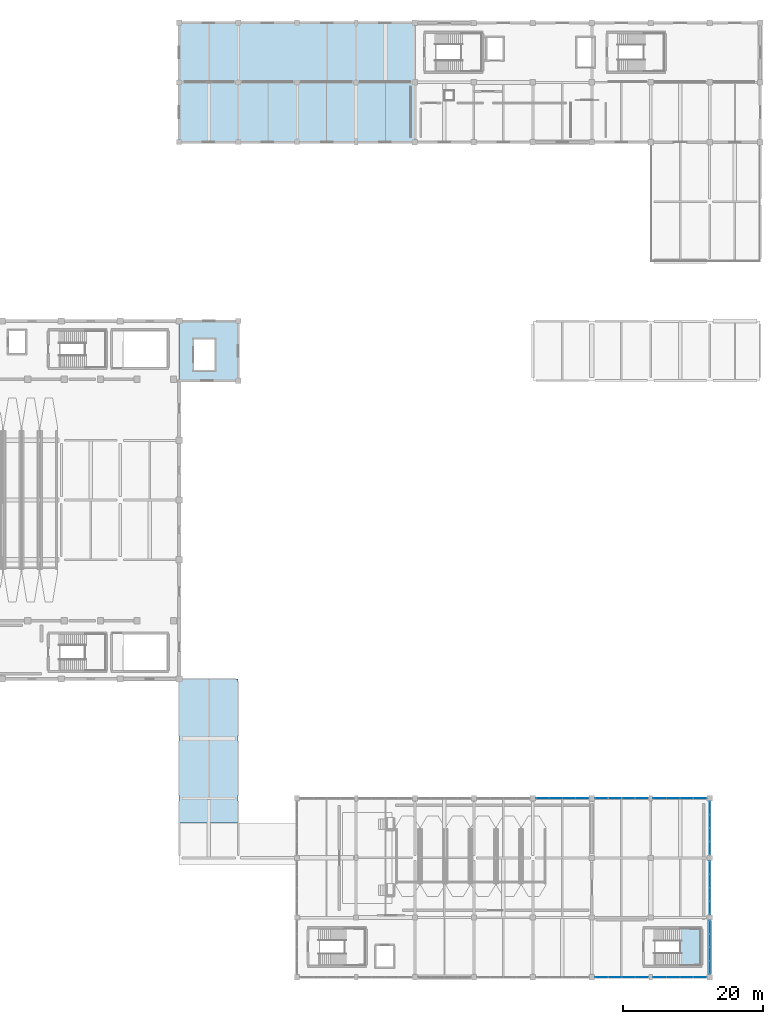
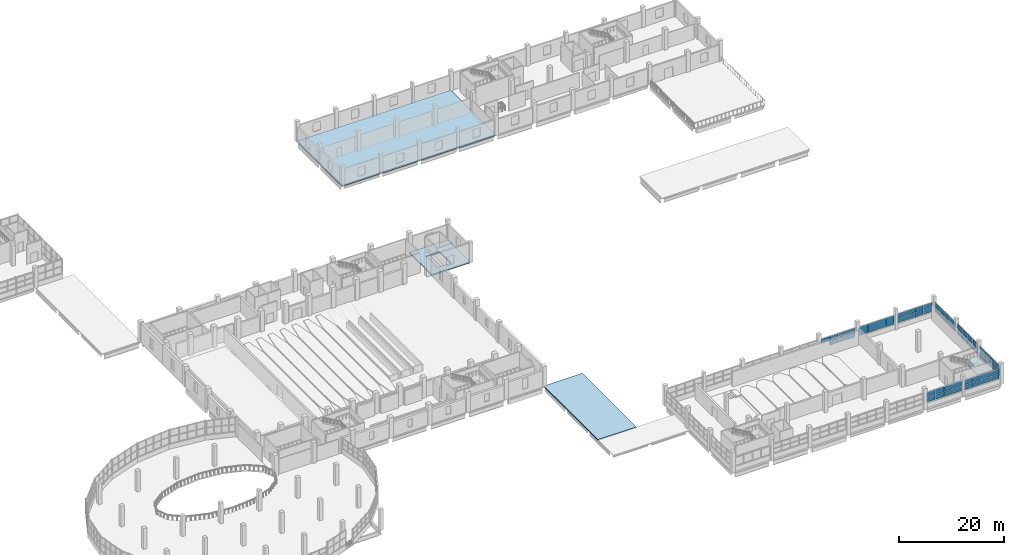
# One storey, part 92 of 117: 59 plates, 4 slabs, 9 elements without a shape of their own.
"""IFC4 building model written with IfcOpenShell, lengths in metres."""

from ifc_helpers import new_model, si_unit, direction, frame, origin, origin_2d, place, context, subcontext, project, spatial, polyline, rectangle, outline, extrude, material, layer, layer_set, type_object, element, aggregate, save


model = new_model("IFC4")

# Units and contexts
model_context = context("Model", 3, precision=1e-05, world=origin(), true_north=direction((0.0, 1.0)))
body_context = subcontext(model_context, "Body", "Model", "MODEL_VIEW")
ifc_project = project(units=[si_unit("LENGTHUNIT", "METRE"), si_unit("AREAUNIT", "SQUARE_METRE"), si_unit("VOLUMEUNIT", "CUBIC_METRE"), si_unit("PLANEANGLEUNIT", "RADIAN"), si_unit("MASSUNIT", "GRAM", prefix="KILO")], contexts=[model_context])

# Site, building, storey
site_placement = place(None, origin())
site = spatial("IfcSite", under=ifc_project, at=site_placement, CompositionType="ELEMENT")
building_placement = place(site_placement, origin())
building = spatial("IfcBuilding", under=site, at=building_placement, Name="Solvento Point Concert Hall", CompositionType="ELEMENT")
storey_placement = place(building_placement, frame((0.0, 0.0, 5.39990234375)))
storey = spatial("IfcBuildingStorey", under=building, at=storey_placement, Name="L01", CompositionType="ELEMENT", Elevation=5.39990234375)

# Curtain wall, plates
ifc_material_1 = material(Name="Anodized Bronze Aluminium", Category="aluminium")
curtain_wall_type = type_object("IfcCurtainWallType", Name="CurtainWall_ChamberCircle", PredefinedType="USERDEFINED", material=ifc_material_1)
curtain_wall_1_placement = place(storey_placement, origin())
curtain_wall_1 = element("IfcCurtainWall", 1, at=curtain_wall_1_placement, inside=storey, type_object=curtain_wall_type, Name="Unitised curtain wall CW-32 UCW-L01-080", ObjectType="UNITISED CURTAIN WALL", PredefinedType="USERDEFINED")
ifc_material_2 = material(Name="Hurricane Laminated Low-E Glass", Category="glass")
plate_type = type_object("IfcPlateType", Name="CurtainPanel_ChamberCircle", PredefinedType="CURTAIN_PANEL", material=ifc_material_2)
plate_1_placement = place(storey_placement, frame((184.96875, 25.5, 2.32861328125), z_axis=(0.0, 0.0, 1.0), x_axis=(1.0, 0.0, 0.0)))
plate_1 = element("IfcPlate", 2, at=plate_1_placement, type_object=plate_type, Name="Glazed curtain panel GL-05", PredefinedType="CURTAIN_PANEL", context=body_context, shape_type="SweptSolid", body=[
    extrude(rectangle(XDim=1.767578125, YDim=0.048095703125, at=origin_2d()), origin(), (0.0, 0.0, 1.0), 0.968505859375),
])
plate_2_placement = place(storey_placement, frame((186.856201171875, 25.5, 1.240234375), z_axis=(0.0, 0.0, 1.0), x_axis=(1.0, 0.0, 0.0)))
plate_2 = element("IfcPlate", 3, at=plate_2_placement, type_object=plate_type, Name="Glazed curtain panel GL-05", PredefinedType="CURTAIN_PANEL", context=body_context, shape_type="SweptSolid", body=[
    extrude(rectangle(XDim=1.767578125, YDim=0.048095703125, at=origin_2d()), origin(), (0.0, 0.0, 1.0), 0.968505859375),
])
plate_3_placement = place(storey_placement, frame((186.856201171875, 25.5, 2.32861328125), z_axis=(0.0, 0.0, 1.0), x_axis=(1.0, 0.0, 0.0)))
plate_3 = element("IfcPlate", 4, at=plate_3_placement, type_object=plate_type, Name="Glazed curtain panel GL-05", PredefinedType="CURTAIN_PANEL", context=body_context, shape_type="SweptSolid", body=[
    extrude(rectangle(XDim=1.767578125, YDim=0.048095703125, at=origin_2d()), origin(), (0.0, 0.0, 1.0), 0.968505859375),
])
plate_4_placement = place(storey_placement, frame((188.743896484375, 25.5, 1.240234375), z_axis=(0.0, 0.0, 1.0), x_axis=(1.0, 0.0, 0.0)))
plate_4 = element("IfcPlate", 5, at=plate_4_placement, type_object=plate_type, Name="Glazed curtain panel GL-05", PredefinedType="CURTAIN_PANEL", context=body_context, shape_type="SweptSolid", body=[
    extrude(rectangle(XDim=1.767578125, YDim=0.048095703125, at=origin_2d()), origin(), (0.0, 0.0, 1.0), 0.968505859375),
])
plate_5_placement = place(storey_placement, frame((188.743896484375, 25.5, 2.32861328125), z_axis=(0.0, 0.0, 1.0), x_axis=(1.0, 0.0, 0.0)))
plate_5 = element("IfcPlate", 6, at=plate_5_placement, type_object=plate_type, Name="Glazed curtain panel GL-05", PredefinedType="CURTAIN_PANEL", context=body_context, shape_type="SweptSolid", body=[
    extrude(rectangle(XDim=1.767578125, YDim=0.048095703125, at=origin_2d()), origin(), (0.0, 0.0, 1.0), 0.968505859375),
])
plate_6_placement = place(storey_placement, frame((190.631103515625, 25.5, 1.240234375), z_axis=(0.0, 0.0, 1.0), x_axis=(1.0, 0.0, 0.0)))
plate_6 = element("IfcPlate", 7, at=plate_6_placement, type_object=plate_type, Name="Glazed curtain panel GL-05", PredefinedType="CURTAIN_PANEL", context=body_context, shape_type="SweptSolid", body=[
    extrude(rectangle(XDim=1.767578125, YDim=0.048095703125, at=origin_2d()), origin(), (0.0, 0.0, 1.0), 0.968505859375),
])
plate_7_placement = place(storey_placement, frame((190.631103515625, 25.5, 2.32861328125), z_axis=(0.0, 0.0, 1.0), x_axis=(1.0, 0.0, 0.0)))
plate_7 = element("IfcPlate", 8, at=plate_7_placement, type_object=plate_type, Name="Glazed curtain panel GL-05", PredefinedType="CURTAIN_PANEL", context=body_context, shape_type="SweptSolid", body=[
    extrude(rectangle(XDim=1.767578125, YDim=0.048095703125, at=origin_2d()), origin(), (0.0, 0.0, 1.0), 0.968505859375),
])
aggregate(curtain_wall_1, [plate_1, plate_2, plate_3, plate_4, plate_5, plate_6, plate_7])

curtain_wall_2_placement = place(storey_placement, origin())
curtain_wall_2 = element("IfcCurtainWall", 9, at=curtain_wall_2_placement, inside=storey, type_object=curtain_wall_type, Name="Unitised curtain wall CW-32 UCW-L01-081", ObjectType="UNITISED CURTAIN WALL", PredefinedType="USERDEFINED")
plate_8_placement = place(storey_placement, frame((193.384521484375, 25.5, 1.239990234375), z_axis=(0.0, 0.0, 1.0), x_axis=(1.0, 0.0, 0.0)))
plate_8 = element("IfcPlate", 10, at=plate_8_placement, type_object=plate_type, Name="Glazed curtain panel GL-05", PredefinedType="CURTAIN_PANEL", context=body_context, shape_type="SweptSolid", body=[
    extrude(rectangle(XDim=1.798583984375, YDim=0.048095703125, at=origin_2d()), origin(), (0.0, 0.0, 1.0), 1.9580078125),
])
plate_9_placement = place(storey_placement, frame((195.302978515625, 25.5, 1.239990234375), z_axis=(0.0, 0.0, 1.0), x_axis=(1.0, 0.0, 0.0)))
plate_9 = element("IfcPlate", 11, at=plate_9_placement, type_object=plate_type, Name="Glazed curtain panel GL-05", PredefinedType="CURTAIN_PANEL", context=body_context, shape_type="SweptSolid", body=[
    extrude(rectangle(XDim=1.798583984375, YDim=0.048095703125, at=origin_2d()), origin(), (0.0, 0.0, 1.0), 1.9580078125),
])
plate_10_placement = place(storey_placement, frame((197.221923828125, 25.5, 1.239990234375), z_axis=(0.0, 0.0, 1.0), x_axis=(1.0, 0.0, 0.0)))
plate_10 = element("IfcPlate", 12, at=plate_10_placement, type_object=plate_type, Name="Glazed curtain panel GL-05", PredefinedType="CURTAIN_PANEL", context=body_context, shape_type="SweptSolid", body=[
    extrude(rectangle(XDim=1.798583984375, YDim=0.048095703125, at=origin_2d()), origin(), (0.0, 0.0, 1.0), 1.9580078125),
])
plate_11_placement = place(storey_placement, frame((199.140625, 25.5, 1.239990234375), z_axis=(0.0, 0.0, 1.0), x_axis=(1.0, 0.0, 0.0)))
plate_11 = element("IfcPlate", 13, at=plate_11_placement, type_object=plate_type, Name="Glazed curtain panel GL-05", PredefinedType="CURTAIN_PANEL", context=body_context, shape_type="SweptSolid", body=[
    extrude(rectangle(XDim=1.798583984375, YDim=0.048095703125, at=origin_2d()), origin(), (0.0, 0.0, 1.0), 1.9580078125),
])
aggregate(curtain_wall_2, [plate_8, plate_9, plate_10, plate_11])

curtain_wall_3_placement = place(storey_placement, origin())
curtain_wall_3 = element("IfcCurtainWall", 14, at=curtain_wall_3_placement, inside=storey, type_object=curtain_wall_type, Name="Unitised curtain wall CW-32 UCW-L01-082", ObjectType="UNITISED CURTAIN WALL", PredefinedType="USERDEFINED")
plate_12_placement = place(storey_placement, frame((201.659423828125, 25.5, 1.240234375), z_axis=(0.0, 0.0, 1.0), x_axis=(1.0, 0.0, 0.0)))
plate_12 = element("IfcPlate", 15, at=plate_12_placement, type_object=plate_type, Name="Glazed curtain panel GL-05", PredefinedType="CURTAIN_PANEL", context=body_context, shape_type="SweptSolid", body=[
    extrude(rectangle(XDim=1.798828125, YDim=0.048095703125, at=origin_2d()), origin(), (0.0, 0.0, 1.0), 0.971923828125),
])
plate_13_placement = place(storey_placement, frame((201.659423828125, 25.5, 2.33203125), z_axis=(0.0, 0.0, 1.0), x_axis=(1.0, 0.0, 0.0)))
plate_13 = element("IfcPlate", 16, at=plate_13_placement, type_object=plate_type, Name="Glazed curtain panel GL-05", PredefinedType="CURTAIN_PANEL", context=body_context, shape_type="SweptSolid", body=[
    extrude(rectangle(XDim=1.798828125, YDim=0.048095703125, at=origin_2d()), origin(), (0.0, 0.0, 1.0), 0.971923828125),
])
plate_14_placement = place(storey_placement, frame((203.578125, 25.5, 1.240234375), z_axis=(0.0, 0.0, 1.0), x_axis=(1.0, 0.0, 0.0)))
plate_14 = element("IfcPlate", 17, at=plate_14_placement, type_object=plate_type, Name="Glazed curtain panel GL-05", PredefinedType="CURTAIN_PANEL", context=body_context, shape_type="SweptSolid", body=[
    extrude(rectangle(XDim=1.798828125, YDim=0.048095703125, at=origin_2d()), origin(), (0.0, 0.0, 1.0), 0.971923828125),
])
plate_15_placement = place(storey_placement, frame((203.578125, 25.5, 2.33203125), z_axis=(0.0, 0.0, 1.0), x_axis=(1.0, 0.0, 0.0)))
plate_15 = element("IfcPlate", 18, at=plate_15_placement, type_object=plate_type, Name="Glazed curtain panel GL-05", PredefinedType="CURTAIN_PANEL", context=body_context, shape_type="SweptSolid", body=[
    extrude(rectangle(XDim=1.798828125, YDim=0.048095703125, at=origin_2d()), origin(), (0.0, 0.0, 1.0), 0.971923828125),
])
plate_16_placement = place(storey_placement, frame((205.496826171875, 25.5, 1.240234375), z_axis=(0.0, 0.0, 1.0), x_axis=(1.0, 0.0, 0.0)))
plate_16 = element("IfcPlate", 19, at=plate_16_placement, type_object=plate_type, Name="Glazed curtain panel GL-05", PredefinedType="CURTAIN_PANEL", context=body_context, shape_type="SweptSolid", body=[
    extrude(rectangle(XDim=1.798828125, YDim=0.048095703125, at=origin_2d()), origin(), (0.0, 0.0, 1.0), 0.971923828125),
])
plate_17_placement = place(storey_placement, frame((205.496826171875, 25.5, 2.33203125), z_axis=(0.0, 0.0, 1.0), x_axis=(1.0, 0.0, 0.0)))
plate_17 = element("IfcPlate", 20, at=plate_17_placement, type_object=plate_type, Name="Glazed curtain panel GL-05", PredefinedType="CURTAIN_PANEL", context=body_context, shape_type="SweptSolid", body=[
    extrude(rectangle(XDim=1.798828125, YDim=0.048095703125, at=origin_2d()), origin(), (0.0, 0.0, 1.0), 0.971923828125),
])
plate_18_placement = place(storey_placement, frame((207.41552734375, 25.5, 1.240234375), z_axis=(0.0, 0.0, 1.0), x_axis=(1.0, 0.0, 0.0)))
plate_18 = element("IfcPlate", 21, at=plate_18_placement, type_object=plate_type, Name="Glazed curtain panel GL-05", PredefinedType="CURTAIN_PANEL", context=body_context, shape_type="SweptSolid", body=[
    extrude(rectangle(XDim=1.798828125, YDim=0.048095703125, at=origin_2d()), origin(), (0.0, 0.0, 1.0), 0.971923828125),
])
plate_19_placement = place(storey_placement, frame((207.41552734375, 25.5, 2.33203125), z_axis=(0.0, 0.0, 1.0), x_axis=(1.0, 0.0, 0.0)))
plate_19 = element("IfcPlate", 22, at=plate_19_placement, type_object=plate_type, Name="Glazed curtain panel GL-05", PredefinedType="CURTAIN_PANEL", context=body_context, shape_type="SweptSolid", body=[
    extrude(rectangle(XDim=1.798828125, YDim=0.048095703125, at=origin_2d()), origin(), (0.0, 0.0, 1.0), 0.971923828125),
])
aggregate(curtain_wall_3, [plate_12, plate_13, plate_14, plate_15, plate_16, plate_17, plate_18, plate_19])

curtain_wall_4_placement = place(storey_placement, origin())
curtain_wall_4 = element("IfcCurtainWall", 23, at=curtain_wall_4_placement, inside=storey, type_object=curtain_wall_type, Name="Unitised curtain wall CW-32 UCW-L01-083", ObjectType="UNITISED CURTAIN WALL", PredefinedType="USERDEFINED")
plate_20_placement = place(storey_placement, frame((208.800048828125, 1.38134765625, 1.240234375), z_axis=(0.0, 0.0, 1.0), x_axis=(0.0, 1.0, 0.0)))
plate_20 = element("IfcPlate", 24, at=plate_20_placement, type_object=plate_type, Name="Glazed curtain panel GL-05", PredefinedType="CURTAIN_PANEL", context=body_context, shape_type="SweptSolid", body=[
    extrude(rectangle(XDim=1.79248046875, YDim=0.048095703125, at=origin_2d()), origin(), (0.0, 0.0, 1.0), 1.1279296875),
])
plate_21_placement = place(storey_placement, frame((208.800048828125, 1.38134765625, 2.488037109375), z_axis=(0.0, 0.0, 1.0), x_axis=(0.0, 1.0, 0.0)))
plate_21 = element("IfcPlate", 25, at=plate_21_placement, type_object=plate_type, Name="Glazed curtain panel GL-05", PredefinedType="CURTAIN_PANEL", context=body_context, shape_type="SweptSolid", body=[
    extrude(rectangle(XDim=1.79248046875, YDim=0.048095703125, at=origin_2d()), origin(), (0.0, 0.0, 1.0), 1.1279296875),
])
plate_22_placement = place(storey_placement, frame((208.800048828125, 3.293701171875, 1.240234375), z_axis=(0.0, 0.0, 1.0), x_axis=(0.0, 1.0, 0.0)))
plate_22 = element("IfcPlate", 26, at=plate_22_placement, type_object=plate_type, Name="Glazed curtain panel GL-05", PredefinedType="CURTAIN_PANEL", context=body_context, shape_type="SweptSolid", body=[
    extrude(rectangle(XDim=1.79248046875, YDim=0.048095703125, at=origin_2d()), origin(), (0.0, 0.0, 1.0), 1.1279296875),
])
plate_23_placement = place(storey_placement, frame((208.800048828125, 3.293701171875, 2.488037109375), z_axis=(0.0, 0.0, 1.0), x_axis=(0.0, 1.0, 0.0)))
plate_23 = element("IfcPlate", 27, at=plate_23_placement, type_object=plate_type, Name="Glazed curtain panel GL-05", PredefinedType="CURTAIN_PANEL", context=body_context, shape_type="SweptSolid", body=[
    extrude(rectangle(XDim=1.79248046875, YDim=0.048095703125, at=origin_2d()), origin(), (0.0, 0.0, 1.0), 1.1279296875),
])
plate_24_placement = place(storey_placement, frame((208.800048828125, 5.206298828125, 1.240234375), z_axis=(0.0, 0.0, 1.0), x_axis=(0.0, 1.0, 0.0)))
plate_24 = element("IfcPlate", 28, at=plate_24_placement, type_object=plate_type, Name="Glazed curtain panel GL-05", PredefinedType="CURTAIN_PANEL", context=body_context, shape_type="SweptSolid", body=[
    extrude(rectangle(XDim=1.79248046875, YDim=0.048095703125, at=origin_2d()), origin(), (0.0, 0.0, 1.0), 1.1279296875),
])
plate_25_placement = place(storey_placement, frame((208.800048828125, 5.206298828125, 2.488037109375), z_axis=(0.0, 0.0, 1.0), x_axis=(0.0, 1.0, 0.0)))
plate_25 = element("IfcPlate", 29, at=plate_25_placement, type_object=plate_type, Name="Glazed curtain panel GL-05", PredefinedType="CURTAIN_PANEL", context=body_context, shape_type="SweptSolid", body=[
    extrude(rectangle(XDim=1.79248046875, YDim=0.048095703125, at=origin_2d()), origin(), (0.0, 0.0, 1.0), 1.1279296875),
])
plate_26_placement = place(storey_placement, frame((208.800048828125, 7.118896484375, 1.240234375), z_axis=(0.0, 0.0, 1.0), x_axis=(0.0, 1.0, 0.0)))
plate_26 = element("IfcPlate", 30, at=plate_26_placement, type_object=plate_type, Name="Glazed curtain panel GL-05", PredefinedType="CURTAIN_PANEL", context=body_context, shape_type="SweptSolid", body=[
    extrude(rectangle(XDim=1.79248046875, YDim=0.048095703125, at=origin_2d()), origin(), (0.0, 0.0, 1.0), 1.1279296875),
])
plate_27_placement = place(storey_placement, frame((208.800048828125, 7.118896484375, 2.488037109375), z_axis=(0.0, 0.0, 1.0), x_axis=(0.0, 1.0, 0.0)))
plate_27 = element("IfcPlate", 31, at=plate_27_placement, type_object=plate_type, Name="Glazed curtain panel GL-05", PredefinedType="CURTAIN_PANEL", context=body_context, shape_type="SweptSolid", body=[
    extrude(rectangle(XDim=1.79248046875, YDim=0.048095703125, at=origin_2d()), origin(), (0.0, 0.0, 1.0), 1.1279296875),
])
aggregate(curtain_wall_4, [plate_20, plate_21, plate_22, plate_23, plate_24, plate_25, plate_26, plate_27])

curtain_wall_5_placement = place(storey_placement, origin())
curtain_wall_5 = element("IfcCurtainWall", 32, at=curtain_wall_5_placement, inside=storey, type_object=curtain_wall_type, Name="Unitised curtain wall CW-32 UCW-L01-084", ObjectType="UNITISED CURTAIN WALL", PredefinedType="USERDEFINED")
plate_28_placement = place(storey_placement, frame((208.800048828125, 9.881103515625, 1.240234375), z_axis=(0.0, 0.0, 1.0), x_axis=(0.0, 1.0, 0.0)))
plate_28 = element("IfcPlate", 33, at=plate_28_placement, type_object=plate_type, Name="Glazed curtain panel GL-05", PredefinedType="CURTAIN_PANEL", context=body_context, shape_type="SweptSolid", body=[
    extrude(rectangle(XDim=1.79248046875, YDim=0.048095703125, at=origin_2d()), origin(), (0.0, 0.0, 1.0), 1.157470703125),
])
plate_29_placement = place(storey_placement, frame((208.800048828125, 9.881103515625, 2.517578125), z_axis=(0.0, 0.0, 1.0), x_axis=(0.0, 1.0, 0.0)))
plate_29 = element("IfcPlate", 34, at=plate_29_placement, type_object=plate_type, Name="Glazed curtain panel GL-05", PredefinedType="CURTAIN_PANEL", context=body_context, shape_type="SweptSolid", body=[
    extrude(rectangle(XDim=1.79248046875, YDim=0.048095703125, at=origin_2d()), origin(), (0.0, 0.0, 1.0), 1.157470703125),
])
plate_30_placement = place(storey_placement, frame((208.800048828125, 11.793701171875, 1.240234375), z_axis=(0.0, 0.0, 1.0), x_axis=(0.0, 1.0, 0.0)))
plate_30 = element("IfcPlate", 35, at=plate_30_placement, type_object=plate_type, Name="Glazed curtain panel GL-05", PredefinedType="CURTAIN_PANEL", context=body_context, shape_type="SweptSolid", body=[
    extrude(rectangle(XDim=1.79248046875, YDim=0.048095703125, at=origin_2d()), origin(), (0.0, 0.0, 1.0), 1.157470703125),
])
plate_31_placement = place(storey_placement, frame((208.800048828125, 11.793701171875, 2.517578125), z_axis=(0.0, 0.0, 1.0), x_axis=(0.0, 1.0, 0.0)))
plate_31 = element("IfcPlate", 36, at=plate_31_placement, type_object=plate_type, Name="Glazed curtain panel GL-05", PredefinedType="CURTAIN_PANEL", context=body_context, shape_type="SweptSolid", body=[
    extrude(rectangle(XDim=1.79248046875, YDim=0.048095703125, at=origin_2d()), origin(), (0.0, 0.0, 1.0), 1.157470703125),
])
plate_32_placement = place(storey_placement, frame((208.800048828125, 13.706298828125, 1.240234375), z_axis=(0.0, 0.0, 1.0), x_axis=(0.0, 1.0, 0.0)))
plate_32 = element("IfcPlate", 37, at=plate_32_placement, type_object=plate_type, Name="Glazed curtain panel GL-05", PredefinedType="CURTAIN_PANEL", context=body_context, shape_type="SweptSolid", body=[
    extrude(rectangle(XDim=1.79248046875, YDim=0.048095703125, at=origin_2d()), origin(), (0.0, 0.0, 1.0), 1.157470703125),
])
plate_33_placement = place(storey_placement, frame((208.800048828125, 13.706298828125, 2.517578125), z_axis=(0.0, 0.0, 1.0), x_axis=(0.0, 1.0, 0.0)))
plate_33 = element("IfcPlate", 38, at=plate_33_placement, type_object=plate_type, Name="Glazed curtain panel GL-05", PredefinedType="CURTAIN_PANEL", context=body_context, shape_type="SweptSolid", body=[
    extrude(rectangle(XDim=1.79248046875, YDim=0.048095703125, at=origin_2d()), origin(), (0.0, 0.0, 1.0), 1.157470703125),
])
plate_34_placement = place(storey_placement, frame((208.800048828125, 15.61865234375, 1.240234375), z_axis=(0.0, 0.0, 1.0), x_axis=(0.0, 1.0, 0.0)))
plate_34 = element("IfcPlate", 39, at=plate_34_placement, type_object=plate_type, Name="Glazed curtain panel GL-05", PredefinedType="CURTAIN_PANEL", context=body_context, shape_type="SweptSolid", body=[
    extrude(rectangle(XDim=1.79248046875, YDim=0.048095703125, at=origin_2d()), origin(), (0.0, 0.0, 1.0), 1.157470703125),
])
plate_35_placement = place(storey_placement, frame((208.800048828125, 15.61865234375, 2.517578125), z_axis=(0.0, 0.0, 1.0), x_axis=(0.0, 1.0, 0.0)))
plate_35 = element("IfcPlate", 40, at=plate_35_placement, type_object=plate_type, Name="Glazed curtain panel GL-05", PredefinedType="CURTAIN_PANEL", context=body_context, shape_type="SweptSolid", body=[
    extrude(rectangle(XDim=1.79248046875, YDim=0.048095703125, at=origin_2d()), origin(), (0.0, 0.0, 1.0), 1.157470703125),
])
aggregate(curtain_wall_5, [plate_28, plate_29, plate_30, plate_31, plate_32, plate_33, plate_34, plate_35])

curtain_wall_6_placement = place(storey_placement, origin())
curtain_wall_6 = element("IfcCurtainWall", 41, at=curtain_wall_6_placement, inside=storey, type_object=curtain_wall_type, Name="Unitised curtain wall CW-32 UCW-L01-085", ObjectType="UNITISED CURTAIN WALL", PredefinedType="USERDEFINED")
plate_36_placement = place(storey_placement, frame((208.800048828125, 18.38134765625, 1.240234375), z_axis=(0.0, 0.0, 1.0), x_axis=(0.0, 1.0, 0.0)))
plate_36 = element("IfcPlate", 42, at=plate_36_placement, type_object=plate_type, Name="Glazed curtain panel GL-05", PredefinedType="CURTAIN_PANEL", context=body_context, shape_type="SweptSolid", body=[
    extrude(rectangle(XDim=1.79248046875, YDim=0.048095703125, at=origin_2d()), origin(), (0.0, 0.0, 1.0), 1.08544921875),
])
plate_37_placement = place(storey_placement, frame((208.800048828125, 18.38134765625, 2.445556640625), z_axis=(0.0, 0.0, 1.0), x_axis=(0.0, 1.0, 0.0)))
plate_37 = element("IfcPlate", 43, at=plate_37_placement, type_object=plate_type, Name="Glazed curtain panel GL-05", PredefinedType="CURTAIN_PANEL", context=body_context, shape_type="SweptSolid", body=[
    extrude(rectangle(XDim=1.79248046875, YDim=0.048095703125, at=origin_2d()), origin(), (0.0, 0.0, 1.0), 1.08544921875),
])
plate_38_placement = place(storey_placement, frame((208.800048828125, 20.293701171875, 1.240234375), z_axis=(0.0, 0.0, 1.0), x_axis=(0.0, 1.0, 0.0)))
plate_38 = element("IfcPlate", 44, at=plate_38_placement, type_object=plate_type, Name="Glazed curtain panel GL-05", PredefinedType="CURTAIN_PANEL", context=body_context, shape_type="SweptSolid", body=[
    extrude(rectangle(XDim=1.79248046875, YDim=0.048095703125, at=origin_2d()), origin(), (0.0, 0.0, 1.0), 1.08544921875),
])
plate_39_placement = place(storey_placement, frame((208.800048828125, 20.293701171875, 2.445556640625), z_axis=(0.0, 0.0, 1.0), x_axis=(0.0, 1.0, 0.0)))
plate_39 = element("IfcPlate", 45, at=plate_39_placement, type_object=plate_type, Name="Glazed curtain panel GL-05", PredefinedType="CURTAIN_PANEL", context=body_context, shape_type="SweptSolid", body=[
    extrude(rectangle(XDim=1.79248046875, YDim=0.048095703125, at=origin_2d()), origin(), (0.0, 0.0, 1.0), 1.08544921875),
])
plate_40_placement = place(storey_placement, frame((208.800048828125, 22.206298828125, 1.240234375), z_axis=(0.0, 0.0, 1.0), x_axis=(0.0, 1.0, 0.0)))
plate_40 = element("IfcPlate", 46, at=plate_40_placement, type_object=plate_type, Name="Glazed curtain panel GL-05", PredefinedType="CURTAIN_PANEL", context=body_context, shape_type="SweptSolid", body=[
    extrude(rectangle(XDim=1.79248046875, YDim=0.048095703125, at=origin_2d()), origin(), (0.0, 0.0, 1.0), 1.08544921875),
])
plate_41_placement = place(storey_placement, frame((208.800048828125, 22.206298828125, 2.445556640625), z_axis=(0.0, 0.0, 1.0), x_axis=(0.0, 1.0, 0.0)))
plate_41 = element("IfcPlate", 47, at=plate_41_placement, type_object=plate_type, Name="Glazed curtain panel GL-05", PredefinedType="CURTAIN_PANEL", context=body_context, shape_type="SweptSolid", body=[
    extrude(rectangle(XDim=1.79248046875, YDim=0.048095703125, at=origin_2d()), origin(), (0.0, 0.0, 1.0), 1.08544921875),
])
plate_42_placement = place(storey_placement, frame((208.800048828125, 24.11865234375, 1.240234375), z_axis=(0.0, 0.0, 1.0), x_axis=(0.0, 1.0, 0.0)))
plate_42 = element("IfcPlate", 48, at=plate_42_placement, type_object=plate_type, Name="Glazed curtain panel GL-05", PredefinedType="CURTAIN_PANEL", context=body_context, shape_type="SweptSolid", body=[
    extrude(rectangle(XDim=1.79248046875, YDim=0.048095703125, at=origin_2d()), origin(), (0.0, 0.0, 1.0), 1.08544921875),
])
plate_43_placement = place(storey_placement, frame((208.800048828125, 24.11865234375, 2.445556640625), z_axis=(0.0, 0.0, 1.0), x_axis=(0.0, 1.0, 0.0)))
plate_43 = element("IfcPlate", 49, at=plate_43_placement, type_object=plate_type, Name="Glazed curtain panel GL-05", PredefinedType="CURTAIN_PANEL", context=body_context, shape_type="SweptSolid", body=[
    extrude(rectangle(XDim=1.79248046875, YDim=0.048095703125, at=origin_2d()), origin(), (0.0, 0.0, 1.0), 1.08544921875),
])
aggregate(curtain_wall_6, [plate_36, plate_37, plate_38, plate_39, plate_40, plate_41, plate_42, plate_43])

curtain_wall_7_placement = place(storey_placement, origin())
curtain_wall_7 = element("IfcCurtainWall", 50, at=curtain_wall_7_placement, inside=storey, type_object=curtain_wall_type, Name="Unitised curtain wall CW-32 UCW-L01-091", ObjectType="UNITISED CURTAIN WALL", PredefinedType="USERDEFINED")
plate_44_placement = place(storey_placement, frame((193.384521484375, 0.0, 1.240234375), z_axis=(0.0, 0.0, 1.0), x_axis=(1.0, 0.0, 0.0)))
plate_44 = element("IfcPlate", 51, at=plate_44_placement, type_object=plate_type, Name="Glazed curtain panel GL-05", PredefinedType="CURTAIN_PANEL", context=body_context, shape_type="SweptSolid", body=[
    extrude(rectangle(XDim=1.798583984375, YDim=0.048095703125, at=origin_2d()), origin(), (0.0, 0.0, 1.0), 1.047119140625),
])
plate_45_placement = place(storey_placement, frame((193.384521484375, 0.0, 2.4072265625), z_axis=(0.0, 0.0, 1.0), x_axis=(1.0, 0.0, 0.0)))
plate_45 = element("IfcPlate", 52, at=plate_45_placement, type_object=plate_type, Name="Glazed curtain panel GL-05", PredefinedType="CURTAIN_PANEL", context=body_context, shape_type="SweptSolid", body=[
    extrude(rectangle(XDim=1.798583984375, YDim=0.048095703125, at=origin_2d()), origin(), (0.0, 0.0, 1.0), 1.047119140625),
])
plate_46_placement = place(storey_placement, frame((195.302978515625, 0.0, 1.240234375), z_axis=(0.0, 0.0, 1.0), x_axis=(1.0, 0.0, 0.0)))
plate_46 = element("IfcPlate", 53, at=plate_46_placement, type_object=plate_type, Name="Glazed curtain panel GL-05", PredefinedType="CURTAIN_PANEL", context=body_context, shape_type="SweptSolid", body=[
    extrude(rectangle(XDim=1.798583984375, YDim=0.048095703125, at=origin_2d()), origin(), (0.0, 0.0, 1.0), 1.047119140625),
])
plate_47_placement = place(storey_placement, frame((195.302978515625, 0.0, 2.4072265625), z_axis=(0.0, 0.0, 1.0), x_axis=(1.0, 0.0, 0.0)))
plate_47 = element("IfcPlate", 54, at=plate_47_placement, type_object=plate_type, Name="Glazed curtain panel GL-05", PredefinedType="CURTAIN_PANEL", context=body_context, shape_type="SweptSolid", body=[
    extrude(rectangle(XDim=1.798583984375, YDim=0.048095703125, at=origin_2d()), origin(), (0.0, 0.0, 1.0), 1.047119140625),
])
plate_48_placement = place(storey_placement, frame((197.221923828125, 0.0, 1.240234375), z_axis=(0.0, 0.0, 1.0), x_axis=(1.0, 0.0, 0.0)))
plate_48 = element("IfcPlate", 55, at=plate_48_placement, type_object=plate_type, Name="Glazed curtain panel GL-05", PredefinedType="CURTAIN_PANEL", context=body_context, shape_type="SweptSolid", body=[
    extrude(rectangle(XDim=1.798583984375, YDim=0.048095703125, at=origin_2d()), origin(), (0.0, 0.0, 1.0), 1.047119140625),
])
plate_49_placement = place(storey_placement, frame((197.221923828125, 0.0, 2.4072265625), z_axis=(0.0, 0.0, 1.0), x_axis=(1.0, 0.0, 0.0)))
plate_49 = element("IfcPlate", 56, at=plate_49_placement, type_object=plate_type, Name="Glazed curtain panel GL-05", PredefinedType="CURTAIN_PANEL", context=body_context, shape_type="SweptSolid", body=[
    extrude(rectangle(XDim=1.798583984375, YDim=0.048095703125, at=origin_2d()), origin(), (0.0, 0.0, 1.0), 1.047119140625),
])
plate_50_placement = place(storey_placement, frame((199.140625, 0.0, 1.240234375), z_axis=(0.0, 0.0, 1.0), x_axis=(1.0, 0.0, 0.0)))
plate_50 = element("IfcPlate", 57, at=plate_50_placement, type_object=plate_type, Name="Glazed curtain panel GL-05", PredefinedType="CURTAIN_PANEL", context=body_context, shape_type="SweptSolid", body=[
    extrude(rectangle(XDim=1.798583984375, YDim=0.048095703125, at=origin_2d()), origin(), (0.0, 0.0, 1.0), 1.047119140625),
])
plate_51_placement = place(storey_placement, frame((199.140625, 0.0, 2.4072265625), z_axis=(0.0, 0.0, 1.0), x_axis=(1.0, 0.0, 0.0)))
plate_51 = element("IfcPlate", 58, at=plate_51_placement, type_object=plate_type, Name="Glazed curtain panel GL-05", PredefinedType="CURTAIN_PANEL", context=body_context, shape_type="SweptSolid", body=[
    extrude(rectangle(XDim=1.798583984375, YDim=0.048095703125, at=origin_2d()), origin(), (0.0, 0.0, 1.0), 1.047119140625),
])
aggregate(curtain_wall_7, [plate_44, plate_45, plate_46, plate_47, plate_48, plate_49, plate_50, plate_51])

curtain_wall_8_placement = place(storey_placement, origin())
curtain_wall_8 = element("IfcCurtainWall", 59, at=curtain_wall_8_placement, inside=storey, type_object=curtain_wall_type, Name="Unitised curtain wall CW-32 UCW-L01-092", ObjectType="UNITISED CURTAIN WALL", PredefinedType="USERDEFINED")
plate_52_placement = place(storey_placement, frame((201.659423828125, 0.0, 1.239990234375), z_axis=(0.0, 0.0, 1.0), x_axis=(1.0, 0.0, 0.0)))
plate_52 = element("IfcPlate", 60, at=plate_52_placement, type_object=plate_type, Name="Glazed curtain panel GL-05", PredefinedType="CURTAIN_PANEL", context=body_context, shape_type="SweptSolid", body=[
    extrude(rectangle(XDim=1.798828125, YDim=0.048095703125, at=origin_2d()), origin(), (0.0, 0.0, 1.0), 1.00244140625),
])
plate_53_placement = place(storey_placement, frame((201.659423828125, 0.0, 2.362548828125), z_axis=(0.0, 0.0, 1.0), x_axis=(1.0, 0.0, 0.0)))
plate_53 = element("IfcPlate", 61, at=plate_53_placement, type_object=plate_type, Name="Glazed curtain panel GL-05", PredefinedType="CURTAIN_PANEL", context=body_context, shape_type="SweptSolid", body=[
    extrude(rectangle(XDim=1.798828125, YDim=0.048095703125, at=origin_2d()), origin(), (0.0, 0.0, 1.0), 1.00244140625),
])
plate_54_placement = place(storey_placement, frame((203.578125, 0.0, 1.239990234375), z_axis=(0.0, 0.0, 1.0), x_axis=(1.0, 0.0, 0.0)))
plate_54 = element("IfcPlate", 62, at=plate_54_placement, type_object=plate_type, Name="Glazed curtain panel GL-05", PredefinedType="CURTAIN_PANEL", context=body_context, shape_type="SweptSolid", body=[
    extrude(rectangle(XDim=1.798828125, YDim=0.048095703125, at=origin_2d()), origin(), (0.0, 0.0, 1.0), 1.00244140625),
])
plate_55_placement = place(storey_placement, frame((203.578125, 0.0, 2.362548828125), z_axis=(0.0, 0.0, 1.0), x_axis=(1.0, 0.0, 0.0)))
plate_55 = element("IfcPlate", 63, at=plate_55_placement, type_object=plate_type, Name="Glazed curtain panel GL-05", PredefinedType="CURTAIN_PANEL", context=body_context, shape_type="SweptSolid", body=[
    extrude(rectangle(XDim=1.798828125, YDim=0.048095703125, at=origin_2d()), origin(), (0.0, 0.0, 1.0), 1.00244140625),
])
plate_56_placement = place(storey_placement, frame((205.496826171875, 0.0, 1.239990234375), z_axis=(0.0, 0.0, 1.0), x_axis=(1.0, 0.0, 0.0)))
plate_56 = element("IfcPlate", 64, at=plate_56_placement, type_object=plate_type, Name="Glazed curtain panel GL-05", PredefinedType="CURTAIN_PANEL", context=body_context, shape_type="SweptSolid", body=[
    extrude(rectangle(XDim=1.798828125, YDim=0.048095703125, at=origin_2d()), origin(), (0.0, 0.0, 1.0), 1.00244140625),
])
plate_57_placement = place(storey_placement, frame((205.496826171875, 0.0, 2.362548828125), z_axis=(0.0, 0.0, 1.0), x_axis=(1.0, 0.0, 0.0)))
plate_57 = element("IfcPlate", 65, at=plate_57_placement, type_object=plate_type, Name="Glazed curtain panel GL-05", PredefinedType="CURTAIN_PANEL", context=body_context, shape_type="SweptSolid", body=[
    extrude(rectangle(XDim=1.798828125, YDim=0.048095703125, at=origin_2d()), origin(), (0.0, 0.0, 1.0), 1.00244140625),
])
plate_58_placement = place(storey_placement, frame((207.41552734375, 0.0, 1.239990234375), z_axis=(0.0, 0.0, 1.0), x_axis=(1.0, 0.0, 0.0)))
plate_58 = element("IfcPlate", 66, at=plate_58_placement, type_object=plate_type, Name="Glazed curtain panel GL-05", PredefinedType="CURTAIN_PANEL", context=body_context, shape_type="SweptSolid", body=[
    extrude(rectangle(XDim=1.798828125, YDim=0.048095703125, at=origin_2d()), origin(), (0.0, 0.0, 1.0), 1.00244140625),
])
plate_59_placement = place(storey_placement, frame((207.41552734375, 0.0, 2.362548828125), z_axis=(0.0, 0.0, 1.0), x_axis=(1.0, 0.0, 0.0)))
plate_59 = element("IfcPlate", 67, at=plate_59_placement, type_object=plate_type, Name="Glazed curtain panel GL-05", PredefinedType="CURTAIN_PANEL", context=body_context, shape_type="SweptSolid", body=[
    extrude(rectangle(XDim=1.798828125, YDim=0.048095703125, at=origin_2d()), origin(), (0.0, 0.0, 1.0), 1.00244140625),
])
aggregate(curtain_wall_8, [plate_52, plate_53, plate_54, plate_55, plate_56, plate_57, plate_58, plate_59])

# Slabs
ifc_material_3 = material(Name="Concrete C35/45", Category="concrete")
ifc_layer_1 = layer(ifc_material_3, 0.280029296875)
ifc_layer_set_1 = layer_set([ifc_layer_1], Name="Concrete C35/45")
slab_type_1 = type_object("IfcSlabType", Name="FloorSlab_280", PredefinedType="FLOOR", material=ifc_layer_set_1)
slab_1_placement = place(storey_placement, frame((0.0, 0.0, -0.27978515625)))
element("IfcSlab", 68, at=slab_1_placement, inside=storey, type_object=slab_type_1, Name="Structural slab SL-L01 SLAB-L01-V5K", PredefinedType="FLOOR", context=body_context, shape_type="SweptSolid", body=[
    extrude(outline(polyline([(133.199951171875, 136.0), (166.800048828125, 136.0), (166.800048828125, 119.0), (133.199951171875, 119.0), (133.199951171875, 136.0)])), origin(), (0.0, 0.0, 1.0), 0.27978515625),
])
slab_2_placement = place(storey_placement, frame((0.0, 0.0, -0.27978515625)))
element("IfcSlab", 69, at=slab_2_placement, inside=storey, type_object=slab_type_1, Name="Structural slab SL-L01 SLAB-L01-V5M", PredefinedType="FLOOR", context=body_context, shape_type="SweptSolid", body=[
    extrude(outline(polyline([(133.199951171875, 93.5), (141.60009765625, 93.5), (141.60009765625, 85.0), (133.199951171875, 85.0), (133.199951171875, 93.5)]), holes=[polyline([(138.280029296875, 90.8798828125), (135.320068359375, 90.8798828125), (135.320068359375, 86.52001953125), (138.280029296875, 86.52001953125), (138.280029296875, 90.8798828125)])]), origin(), (0.0, 0.0, 1.0), 0.27978515625),
])
ifc_material_4 = material(Name="Concrete C40/50", Category="concrete")
ifc_layer_2 = layer(ifc_material_4, 0.260009765625)
ifc_layer_set_2 = layer_set([ifc_layer_2], Name="Concrete C40/50")
slab_type_2 = type_object("IfcSlabType", Name="RoofFlat_260", PredefinedType="ROOF", material=ifc_layer_set_2)
slab_3_placement = place(storey_placement, frame((0.0, 0.0, -0.260009765625)))
element("IfcSlab", 70, at=slab_3_placement, inside=storey, type_object=slab_type_2, Name="Structural slab RF-DK1 RF-L01-V3M", PredefinedType="ROOF", context=body_context, shape_type="SweptSolid", body=[
    extrude(outline(polyline([(133.199951171875, 22.0), (133.199951171875, 42.5), (141.60009765625, 42.5), (141.60009765625, 22.0), (133.199951171875, 22.0)])), origin(), (0.0, 0.0, 1.0), 0.260009765625),
])

# Stair, slab
ifc_material_5 = material(Name="Concrete C35/45", Category="concrete")
stair_type = type_object("IfcStairType", Name="CoreStair_1760", PredefinedType="HALF_TURN_STAIR", material=ifc_material_5)
stair_placement = place(storey_placement, origin())
stair = element("IfcStair", 71, at=stair_placement, inside=storey, type_object=stair_type, Name="Protected exit stair ST-09 (L01 to L02)", PredefinedType="HALF_TURN_STAIR")
ifc_material_6 = material(Name="Concrete C35/45", Category="concrete")
ifc_layer_3 = layer(ifc_material_6, 0.179931640625)
ifc_layer_set_3 = layer_set([ifc_layer_3], Name="Concrete C35/45")
slab_type_3 = type_object("IfcSlabType", Name="StairLanding_180", PredefinedType="LANDING", material=ifc_layer_set_3)
slab_4_placement = place(storey_placement, frame((0.0, 0.0, 2.22021484375)))
slab_4 = element("IfcSlab", 72, at=slab_4_placement, type_object=slab_type_3, Name="Stair half-landing ST-09 L01", PredefinedType="LANDING", context=body_context, shape_type="SweptSolid", body=[
    extrude(outline(polyline([(204.52001953125, 1.56005859375), (207.639892578125, 1.56005859375), (207.639892578125, 7.0400390625), (204.52001953125, 7.0400390625), (204.52001953125, 1.56005859375)])), origin(), (0.0, 0.0, 1.0), 0.179931640625),
])
aggregate(stair, [slab_4])

save(model, "model.ifc")
